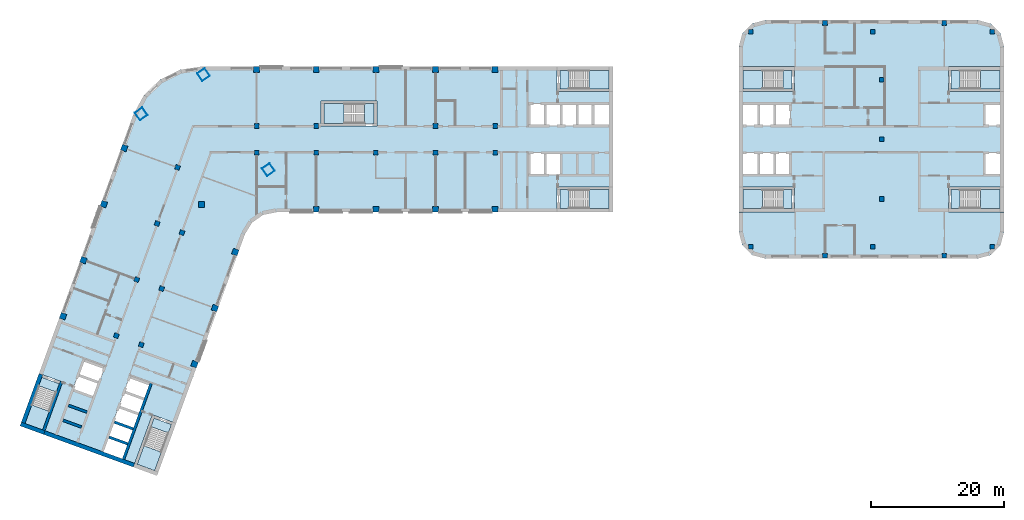
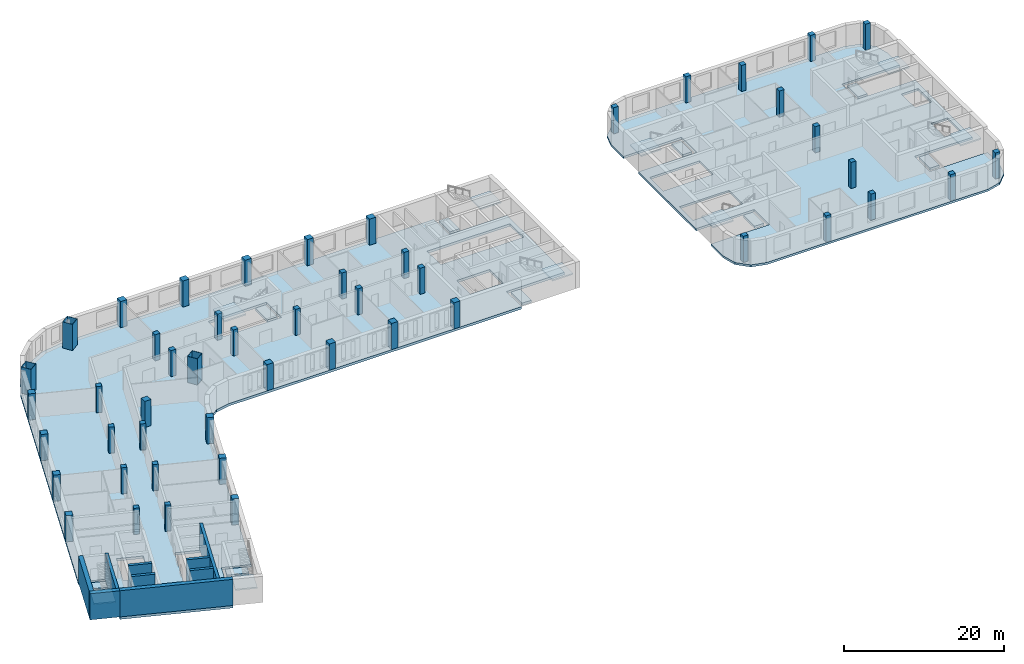
# One storey, part 1 of 12: 49 columns, 20 slabs, 9 walls, 9 elements without a shape of their own.
"""IFC4 building model written with IfcOpenShell, lengths in metres."""

from ifc_helpers import new_model, si_unit, direction, frame, frame_2d, origin, origin_2d, place, context, subcontext, project, spatial, polyline, rectangle, hollow_rectangle, outline, extrude, material, layer, layer_set, material_profile, profile_set, type_object, element, aggregate, save


model = new_model("IFC4")

# Units and contexts
model_context = context("Model", 3, precision=1e-05, world=origin(), true_north=direction((0.0, 1.0)))
body_context = subcontext(model_context, "Body", "Model", "MODEL_VIEW")
ifc_project = project(units=[si_unit("LENGTHUNIT", "METRE"), si_unit("AREAUNIT", "SQUARE_METRE"), si_unit("VOLUMEUNIT", "CUBIC_METRE"), si_unit("PLANEANGLEUNIT", "RADIAN"), si_unit("MASSUNIT", "GRAM", prefix="KILO")], contexts=[model_context])

# Site, building, storey
site_placement = place(None, origin())
site = spatial("IfcSite", under=ifc_project, at=site_placement, CompositionType="ELEMENT")
building_placement = place(site_placement, origin())
building = spatial("IfcBuilding", under=site, at=building_placement, Name="Skarvind Civic Tower", CompositionType="ELEMENT")
storey_placement = place(building_placement, frame((0.0, 0.0, 59.5)))
storey = spatial("IfcBuildingStorey", under=building, at=storey_placement, Name="L13", CompositionType="ELEMENT", Elevation=59.5)

# Columns
ifc_material_1 = material(Name="Concrete C60", Category="concrete")
ifc_material_profile_1 = material_profile(ifc_material_1, rectangle(XDim=0.699951171875, YDim=0.699951171875, at=origin_2d()), Name="RC-700x700")
ifc_profile_set_1 = profile_set([ifc_material_profile_1], Name="Concrete C60")
column_type_1 = type_object("IfcColumnType", Name="Column RC-700x700 C60", PredefinedType="COLUMN", material=ifc_profile_set_1)
for number, where, z_axis, x_axis, name in (
    (1, (54.25, 130.0, 0.0), (0.0, 0.0, 1.0), (1.0, 0.0, 0.0), "Column wing 1 north inner 02 L13"),
    (2, (63.25, 130.0, 0.0), (0.0, 0.0, 1.0), (1.0, 0.0, 0.0), "Column wing 1 north inner 03 L13"),
    (3, (81.25, 130.0, 0.0), (0.0, 0.0, 1.0), (1.0, 0.0, 0.0), "Column wing 1 north inner 05 L13"),
    (4, (90.25, 130.0, 0.0), (0.0, 0.0, 1.0), (1.0, 0.0, 0.0), "Column wing 1 north inner 06 L13"),
    (5, (54.25, 126.0, 0.0), (0.0, 0.0, 1.0), (1.0, 0.0, 0.0), "Column wing 1 south inner 02 L13"),
    (6, (63.25, 126.0, 0.0), (0.0, 0.0, 1.0), (1.0, 0.0, 0.0), "Column wing 1 south inner 03 L13"),
    (7, (72.25, 126.0, 0.0), (0.0, 0.0, 1.0), (1.0, 0.0, 0.0), "Column wing 1 south inner 04 L13"),
    (8, (81.25, 126.0, 0.0), (0.0, 0.0, 1.0), (1.0, 0.0, 0.0), "Column wing 1 south inner 05 L13"),
    (9, (90.25, 126.0, 0.0), (0.0, 0.0, 1.0), (1.0, 0.0, 0.0), "Column wing 1 south inner 06 L13"),
    (10, (43.005615234375, 113.92529296875, 0.0), (0.0, 0.0, 1.0), (-0.342020143326, -0.939692620786, 0.0), "Column wing 2 left inner 02 L13"),
    (11, (39.927490234375, 105.468017578125, 0.0), (0.0, 0.0, 1.0), (-0.342020143326, -0.939692620786, 0.0), "Column wing 2 left inner 03 L13"),
    (12, (36.84912109375, 97.010986328125, 0.0), (0.0, 0.0, 1.0), (-0.342020143326, -0.939692620786, 0.0), "Column wing 2 left inner 04 L13"),
    (13, (42.324951171875, 123.750732421875, 0.0), (0.0, 0.0, 1.0), (-0.342020143326, -0.939692620786, 0.0), "Column wing 2 right inner 01 L13"),
    (14, (39.246826171875, 115.29345703125, 0.0), (0.0, 0.0, 1.0), (-0.342020143326, -0.939692620786, 0.0), "Column wing 2 right inner 02 L13"),
    (15, (36.168701171875, 106.836181640625, 0.0), (0.0, 0.0, 1.0), (-0.342020143326, -0.939692620786, 0.0), "Column wing 2 right inner 03 L13"),
    (16, (33.090576171875, 98.37890625, 0.0), (0.0, 0.0, 1.0), (-0.342020143326, -0.939692620786, 0.0), "Column wing 2 right inner 04 L13"),
    (17, (128.777099609375, 144.222900390625, 0.0), (0.0, 0.0, 1.0), (1.0, 0.0, 0.0), "Column second tower north-west corner L13"),
    (18, (128.777099609375, 111.777099609375, 0.0), (0.0, 0.0, 1.0), (1.0, 0.0, 0.0), "Column second tower south-west corner L13"),
    (19, (148.550048828125, 119.0, 0.0), (0.0, 0.0, 1.0), (1.0, 0.0, 0.0), "Column second tower middle line 01 L13"),
    (20, (148.550048828125, 128.0, 0.0), (0.0, 0.0, 1.0), (1.0, 0.0, 0.0), "Column second tower middle line 02 L13"),
    (21, (148.550048828125, 137.0, 0.0), (0.0, 0.0, 1.0), (1.0, 0.0, 0.0), "Column second tower middle line 03 L13"),
    (22, (140.0, 145.550048828125, 0.0), (0.0, 0.0, 1.0), (1.0, 0.0, 0.0), "Column second tower north perimeter 02 L13"),
    (23, (147.222900390625, 144.222900390625, 0.0), (0.0, 0.0, 1.0), (1.0, 0.0, 0.0), "Column second tower north perimeter 03 L13"),
    (24, (140.0, 110.449951171875, 0.0), (0.0, 0.0, 1.0), (1.0, 0.0, 0.0), "Column second tower south perimeter 02 L13"),
    (25, (147.222900390625, 111.777099609375, 0.0), (0.0, 0.0, 1.0), (1.0, 0.0, 0.0), "Column second tower south perimeter 03 L13"),
    (26, (165.222900390625, 144.222900390625, 0.0), (0.0, 0.0, 1.0), (1.0, 0.0, 0.0), "Column second tower north-east corner L13"),
    (27, (165.222900390625, 111.777099609375, 0.0), (0.0, 0.0, 1.0), (1.0, 0.0, 0.0), "Column second tower south-east corner L13"),
    (28, (158.0, 145.550048828125, 0.0), (0.0, 0.0, 1.0), (1.0, 0.0, 0.0), "Column second tower north perimeter 04 L13"),
    (29, (158.0, 110.449951171875, 0.0), (0.0, 0.0, 1.0), (1.0, 0.0, 0.0), "Column second tower south perimeter 04 L13"),
):
    element("IfcColumn", number, at=place(storey_placement, frame(where, z_axis=z_axis, x_axis=x_axis)), inside=storey, type_object=column_type_1, Name=name, PredefinedType="COLUMN", context=body_context, shape_type="SweptSolid", body=[
        extrude(rectangle(XDim=0.699951171875, YDim=0.699951171875, at=origin_2d()), origin(), (0.0, 0.0, 1.0), 4.0),
    ])
ifc_material_2 = material(Name="Concrete C80", Category="concrete")
ifc_material_profile_2 = material_profile(ifc_material_2, rectangle(XDim=0.89990234375, YDim=0.89990234375, at=origin_2d()), Name="RC-900x900")
ifc_profile_set_2 = profile_set([ifc_material_profile_2], Name="Concrete C80")
column_type_2 = type_object("IfcColumnType", Name="Column RC-900x900 C80", PredefinedType="COLUMN", material=ifc_profile_set_2)
for number, where, z_axis, x_axis, name in (
    (30, (54.25, 138.550048828125, 0.0), (0.0, 0.0, 1.0), (1.0, 0.0, 0.0), "Column wing 1 north perimeter 02 L13"),
    (31, (63.25, 138.550048828125, 0.0), (0.0, 0.0, 1.0), (1.0, 0.0, 0.0), "Column wing 1 north perimeter 03 L13"),
    (32, (72.25, 138.550048828125, 0.0), (0.0, 0.0, 1.0), (1.0, 0.0, 0.0), "Column wing 1 north perimeter 04 L13"),
    (33, (81.25, 138.550048828125, 0.0), (0.0, 0.0, 1.0), (1.0, 0.0, 0.0), "Column wing 1 north perimeter 05 L13"),
    (34, (90.25, 138.550048828125, 0.0), (0.0, 0.0, 1.0), (1.0, 0.0, 0.0), "Column wing 1 north perimeter 06 L13"),
    (35, (45.95166015625, 118.151611328125, 0.0), (0.0, 0.0, 1.0), (1.0, 0.0, 0.0), "Column wing 1 south perimeter 01 L13"),
    (36, (63.25, 117.449951171875, 0.0), (0.0, 0.0, 1.0), (1.0, 0.0, 0.0), "Column wing 1 south perimeter 03 L13"),
    (37, (72.25, 117.449951171875, 0.0), (0.0, 0.0, 1.0), (1.0, 0.0, 0.0), "Column wing 1 south perimeter 04 L13"),
    (38, (81.25, 117.449951171875, 0.0), (0.0, 0.0, 1.0), (1.0, 0.0, 0.0), "Column wing 1 south perimeter 05 L13"),
    (39, (90.25, 117.449951171875, 0.0), (0.0, 0.0, 1.0), (1.0, 0.0, 0.0), "Column wing 1 south perimeter 06 L13"),
    (40, (51.0400390625, 111.0009765625, 0.0), (0.0, 0.0, 1.0), (-0.342020143326, -0.939692620786, 0.0), "Column wing 2 left perimeter 02 L13"),
    (41, (47.961669921875, 102.5439453125, 0.0), (0.0, 0.0, 1.0), (-0.342020143326, -0.939692620786, 0.0), "Column wing 2 left perimeter 03 L13"),
    (42, (44.883544921875, 94.086669921875, 0.0), (0.0, 0.0, 1.0), (-0.342020143326, -0.939692620786, 0.0), "Column wing 2 left perimeter 04 L13"),
    (43, (34.29052734375, 126.6748046875, 0.0), (0.0, 0.0, 1.0), (-0.342020143326, -0.939692620786, 0.0), "Column wing 2 right perimeter 01 L13"),
    (44, (31.21240234375, 118.2177734375, 0.0), (0.0, 0.0, 1.0), (-0.342020143326, -0.939692620786, 0.0), "Column wing 2 right perimeter 02 L13"),
    (45, (28.13427734375, 109.760498046875, 0.0), (0.0, 0.0, 1.0), (-0.342020143326, -0.939692620786, 0.0), "Column wing 2 right perimeter 03 L13"),
    (46, (25.05615234375, 101.30322265625, 0.0), (0.0, 0.0, 1.0), (-0.342020143326, -0.939692620786, 0.0), "Column wing 2 right perimeter 04 L13"),
):
    element("IfcColumn", number, at=place(storey_placement, frame(where, z_axis=z_axis, x_axis=x_axis)), inside=storey, type_object=column_type_2, Name=name, PredefinedType="COLUMN", context=body_context, shape_type="SweptSolid", body=[
        extrude(rectangle(XDim=0.89990234375, YDim=0.89990234375, at=origin_2d()), origin(), (0.0, 0.0, 1.0), 4.0),
    ])
ifc_material_3 = material(Name="Composite concrete-filled steel tube, Steel SM355 with Concrete C80", Category="concrete")
ifc_material_profile_3 = material_profile(ifc_material_3, hollow_rectangle(XDim=1.39990234375, YDim=1.39990234375, WallThickness=0.0400390625, at=origin_2d()), Name="BOX-1400x1400x40")
ifc_profile_set_3 = profile_set([ifc_material_profile_3], Name="Composite concrete-filled steel tube, Steel SM355 with Concrete C80")
column_type_3 = type_object("IfcColumnType", Name="Mega column BOX-1400x1400x40 filled C80", PredefinedType="COLUMN", material=ifc_profile_set_3)
for number, where, z_axis, x_axis, name in (
    (47, (36.845947265625, 131.837646484375, 0.0), (0.0, 0.0, 1.0), (0.573576436351, -0.819152044289, 0.0), "Mega column 1 L13"),
    (48, (46.2470703125, 137.762451171875, 0.0), (0.0, 0.0, 1.0), (0.573576436351, -0.819152044289, 0.0), "Mega column 2 L13"),
    (49, (56.0361328125, 123.43017578125, 0.0), (0.0, 0.0, 1.0), (0.573576436351, -0.819152044289, 0.0), "Mega column 4 L13"),
):
    element("IfcColumn", number, at=place(storey_placement, frame(where, z_axis=z_axis, x_axis=x_axis)), inside=storey, type_object=column_type_3, Name=name, PredefinedType="COLUMN", context=body_context, shape_type="SweptSolid", body=[
        extrude(hollow_rectangle(XDim=1.39990234375, YDim=1.39990234375, WallThickness=0.0400390625, at=origin_2d()), origin(), (0.0, 0.0, 1.0), 4.0),
    ])

# Slabs
ifc_material_4 = material(Name="Concrete C50", Category="concrete")
ifc_layer_1 = layer(ifc_material_4, 0.375)
ifc_layer_set_1 = layer_set([ifc_layer_1], Name="Floor slab 375 C50")
slab_type_1 = type_object("IfcSlabType", Name="Floor slab 375 C50", PredefinedType="FLOOR", material=ifc_layer_set_1)
slab_1_placement = place(storey_placement, frame((0.0, 0.0, -0.375)))
element("IfcSlab", 50, at=slab_1_placement, inside=storey, type_object=slab_type_1, Name="Floor slab L13 1", PredefinedType="FLOOR", context=body_context, shape_type="SweptSolid", body=[
    extrude(outline(polyline([(99.60009765625, 117.0), (99.60009765625, 120.800048828125), (108.0, 120.800048828125), (108.0, 135.199951171875), (99.60009765625, 135.199951171875), (99.60009765625, 139.0), (46.095458984375, 139.0), (42.739501953125, 138.5009765625), (39.6943359375, 137.005615234375), (37.24755859375, 134.6552734375), (35.630615234375, 131.672607421875), (19.41748046875, 87.126708984375), (21.435302734375, 92.6708984375), (25.006103515625, 91.371337890625), (22.13330078125, 83.477783203125), (36.886474609375, 78.108154296875), (35.664794921875, 78.552734375), (38.53759765625, 86.4462890625), (42.108642578125, 85.146484375), (40.0908203125, 79.602294921875), (40.0908203125, 79.602294921875), (52.493896484375, 113.68017578125), (53.560791015625, 115.421630859375), (55.23388671875, 116.593017578125), (57.235107421875, 117.0), (99.60009765625, 117.0)]), holes=[polyline([(32.625244140625, 85.40576171875), (33.446044921875, 87.660888671875), (34.26708984375, 89.916259765625), (35.087890625, 92.17138671875), (38.28271484375, 91.008544921875), (37.4619140625, 88.75341796875), (36.64111328125, 86.498046875), (35.8203125, 84.242919921875), (35.8203125, 84.242919921875), (34.99951171875, 81.987548828125), (34.178466796875, 79.732421875), (30.983642578125, 80.89501953125), (31.804443359375, 83.150390625), (32.625244140625, 85.40576171875), (32.625244140625, 85.40576171875)]), polyline([(31.3291015625, 93.53955078125), (30.50830078125, 91.2841796875), (29.6875, 89.029052734375), (26.492431640625, 90.19189453125), (27.313232421875, 92.447021484375), (28.134033203125, 94.702392578125), (31.3291015625, 93.53955078125)]), polyline([(64.0, 130.0), (64.0, 133.800048828125), (72.39990234375, 133.800048828125), (72.39990234375, 130.0), (64.0, 130.0)]), polyline([(100.199951171875, 126.0), (100.199951171875, 122.60009765625), (97.800048828125, 122.60009765625), (95.39990234375, 122.60009765625), (95.39990234375, 126.0), (97.800048828125, 126.0), (100.199951171875, 126.0)]), polyline([(100.199951171875, 133.39990234375), (102.60009765625, 133.39990234375), (105.0, 133.39990234375), (107.39990234375, 133.39990234375), (107.39990234375, 130.0), (105.0, 130.0), (102.60009765625, 130.0), (100.199951171875, 130.0), (97.800048828125, 130.0), (95.39990234375, 130.0), (95.39990234375, 133.39990234375), (97.800048828125, 133.39990234375), (100.199951171875, 133.39990234375)])]), origin(), (0.0, 0.0, 1.0), 0.375),
])
ifc_layer_2 = layer(ifc_material_4, 0.324951171875)
ifc_layer_set_2 = layer_set([ifc_layer_2], Name="Second tower floor slab 325 C50")
slab_type_2 = type_object("IfcSlabType", Name="Second tower floor slab 325 C50", PredefinedType="FLOOR", material=ifc_layer_set_2)
slab_2_placement = place(storey_placement, frame((0.0, 0.0, -0.324951171875)))
element("IfcSlab", 51, at=slab_2_placement, inside=storey, type_object=slab_type_2, Name="Floor slab L13 1", PredefinedType="FLOOR", context=body_context, shape_type="SweptSolid", body=[
    extrude(outline(polyline([(127.0, 139.0), (135.39990234375, 139.0), (135.39990234375, 135.199951171875), (127.0, 135.199951171875), (127.0, 120.800048828125), (135.39990234375, 120.800048828125), (135.39990234375, 117.0), (127.0, 117.0), (127.0, 114.0), (127.535888671875, 112.0), (129.0, 110.535888671875), (131.0, 110.0), (163.0, 110.0), (165.0, 110.535888671875), (166.464111328125, 112.0), (167.0, 114.0), (167.0, 117.0), (158.60009765625, 117.0), (158.60009765625, 120.800048828125), (167.0, 120.800048828125), (167.0, 135.199951171875), (158.60009765625, 135.199951171875), (158.60009765625, 139.0), (167.0, 139.0), (167.0, 142.0), (166.464111328125, 144.0), (165.0, 145.464111328125), (163.0, 146.0), (131.0, 146.0), (129.0, 145.464111328125), (127.535888671875, 144.0), (127.0, 142.0), (127.0, 139.0)]), holes=[polyline([(132.39990234375, 126.0), (134.800048828125, 126.0), (134.800048828125, 122.60009765625), (132.39990234375, 122.60009765625), (130.0, 122.60009765625), (127.60009765625, 122.60009765625), (127.60009765625, 126.0), (130.0, 126.0), (132.39990234375, 126.0)]), polyline([(130.0, 133.39990234375), (132.39990234375, 133.39990234375), (134.800048828125, 133.39990234375), (134.800048828125, 130.0), (132.39990234375, 130.0), (130.0, 130.0), (127.60009765625, 130.0), (127.60009765625, 133.39990234375), (130.0, 133.39990234375)]), polyline([(166.39990234375, 126.0), (166.39990234375, 122.60009765625), (164.0, 122.60009765625), (164.0, 126.0), (166.39990234375, 126.0)]), polyline([(166.39990234375, 133.39990234375), (166.39990234375, 130.0), (164.0, 130.0), (164.0, 133.39990234375), (166.39990234375, 133.39990234375)])]), origin(), (0.0, 0.0, 1.0), 0.324951171875),
])
ifc_material_5 = material(Name="Concrete C40/50", Category="concrete")
ifc_layer_3 = layer(ifc_material_5, 0.375)
ifc_layer_set_3 = layer_set([ifc_layer_3], Name="Stair floor landing slab 375")
slab_type_3 = type_object("IfcSlabType", Name="Stair floor landing slab 375", PredefinedType="LANDING", material=ifc_layer_set_3)
slab_3_placement = place(storey_placement, frame((0.0, 0.0, -0.375)))
element("IfcSlab", 52, at=slab_3_placement, inside=storey, type_object=slab_type_3, Name="Stair floor landing", PredefinedType="LANDING", context=body_context, shape_type="SweptSolid", body=[
    extrude(outline(polyline([(101.3505859375, 138.400634765625), (101.3505859375, 135.599365234375), (99.99951171875, 135.599365234375), (99.99951171875, 138.400634765625), (101.3505859375, 138.400634765625)])), origin(), (0.0, 0.0, 1.0), 0.375),
])
slab_4_placement = place(storey_placement, frame((0.0, 0.0, -0.375)))
element("IfcSlab", 53, at=slab_4_placement, inside=storey, type_object=slab_type_3, Name="Stair floor landing", PredefinedType="LANDING", context=body_context, shape_type="SweptSolid", body=[
    extrude(outline(polyline([(101.3505859375, 120.400634765625), (101.3505859375, 117.599365234375), (99.99951171875, 117.599365234375), (99.99951171875, 120.400634765625), (101.3505859375, 120.400634765625)])), origin(), (0.0, 0.0, 1.0), 0.375),
])
slab_5_placement = place(storey_placement, frame((0.0, 0.0, -0.375)))
element("IfcSlab", 54, at=slab_5_placement, inside=storey, type_object=slab_type_3, Name="Stair floor landing", PredefinedType="LANDING", context=body_context, shape_type="SweptSolid", body=[
    extrude(outline(polyline([(40.946533203125, 83.70654296875), (38.314208984375, 84.66455078125), (38.7763671875, 85.934326171875), (41.40869140625, 84.976318359375), (40.946533203125, 83.70654296875)])), origin(), (0.0, 0.0, 1.0), 0.375),
])
slab_6_placement = place(storey_placement, frame((0.0, 0.0, -0.375)))
element("IfcSlab", 55, at=slab_6_placement, inside=storey, type_object=slab_type_3, Name="Stair floor landing", PredefinedType="LANDING", context=body_context, shape_type="SweptSolid", body=[
    extrude(outline(polyline([(24.0322265625, 89.863037109375), (21.39990234375, 90.821044921875), (21.862060546875, 92.090576171875), (24.494384765625, 91.132568359375), (24.0322265625, 89.863037109375)])), origin(), (0.0, 0.0, 1.0), 0.375),
])
slab_7_placement = place(storey_placement, frame((0.0, 0.0, -0.375)))
element("IfcSlab", 56, at=slab_7_placement, inside=storey, type_object=slab_type_3, Name="Stair floor landing", PredefinedType="LANDING", context=body_context, shape_type="SweptSolid", body=[
    extrude(outline(polyline([(133.6494140625, 117.599365234375), (133.6494140625, 120.400634765625), (135.00048828125, 120.400634765625), (135.00048828125, 117.599365234375), (133.6494140625, 117.599365234375)])), origin(), (0.0, 0.0, 1.0), 0.375),
])
slab_8_placement = place(storey_placement, frame((0.0, 0.0, -0.375)))
element("IfcSlab", 57, at=slab_8_placement, inside=storey, type_object=slab_type_3, Name="Stair floor landing", PredefinedType="LANDING", context=body_context, shape_type="SweptSolid", body=[
    extrude(outline(polyline([(133.6494140625, 135.599365234375), (133.6494140625, 138.400634765625), (135.00048828125, 138.400634765625), (135.00048828125, 135.599365234375), (133.6494140625, 135.599365234375)])), origin(), (0.0, 0.0, 1.0), 0.375),
])
slab_9_placement = place(storey_placement, frame((0.0, 0.0, -0.375)))
element("IfcSlab", 58, at=slab_9_placement, inside=storey, type_object=slab_type_3, Name="Stair floor landing", PredefinedType="LANDING", context=body_context, shape_type="SweptSolid", body=[
    extrude(outline(polyline([(160.3505859375, 138.400634765625), (160.3505859375, 135.599365234375), (158.99951171875, 135.599365234375), (158.99951171875, 138.400634765625), (160.3505859375, 138.400634765625)])), origin(), (0.0, 0.0, 1.0), 0.375),
])
slab_10_placement = place(storey_placement, frame((0.0, 0.0, -0.375)))
element("IfcSlab", 59, at=slab_10_placement, inside=storey, type_object=slab_type_3, Name="Stair floor landing", PredefinedType="LANDING", context=body_context, shape_type="SweptSolid", body=[
    extrude(outline(polyline([(160.3505859375, 120.400634765625), (160.3505859375, 117.599365234375), (158.99951171875, 117.599365234375), (158.99951171875, 120.400634765625), (160.3505859375, 120.400634765625)])), origin(), (0.0, 0.0, 1.0), 0.375),
])
slab_11_placement = place(storey_placement, frame((0.0, 0.0, -0.375)))
element("IfcSlab", 60, at=slab_11_placement, inside=storey, type_object=slab_type_3, Name="Stair floor landing", PredefinedType="LANDING", context=body_context, shape_type="SweptSolid", body=[
    extrude(outline(polyline([(70.54931640625, 130.3994140625), (70.54931640625, 133.400634765625), (72.00048828125, 133.400634765625), (72.00048828125, 130.3994140625), (70.54931640625, 130.3994140625)])), origin(), (0.0, 0.0, 1.0), 0.375),
])

# Stair, slab
stair_type_1 = type_object("IfcStairType", Name="Exit stair, half-turn, concrete", PredefinedType="HALF_TURN_STAIR", material=ifc_material_5)
stair_1_placement = place(storey_placement, origin())
stair_1 = element("IfcStair", 61, at=stair_1_placement, inside=storey, type_object=stair_type_1, Name="Exit stair C1S", PredefinedType="HALF_TURN_STAIR")
ifc_layer_4 = layer(ifc_material_5, 0.199951171875)
ifc_layer_set_4 = layer_set([ifc_layer_4], Name="Stair half landing slab")
slab_type_4 = type_object("IfcSlabType", Name="Stair half landing slab", PredefinedType="LANDING", material=ifc_layer_set_4)
slab_12_placement = place(storey_placement, frame((0.0, 0.0, 1.800048828125)))
slab_12 = element("IfcSlab", 62, at=slab_12_placement, type_object=slab_type_4, Name="ST-C1S landing 1", PredefinedType="LANDING", context=body_context, shape_type="SweptSolid", body=[
    extrude(outline(polyline([(104.429443359375, 135.599365234375), (104.429443359375, 138.400634765625), (107.400634765625, 138.400634765625), (107.400634765625, 135.599365234375), (104.429443359375, 135.599365234375)])), origin(), (0.0, 0.0, 1.0), 0.199951171875),
])
aggregate(stair_1, [slab_12])

stair_2_placement = place(storey_placement, origin())
stair_2 = element("IfcStair", 63, at=stair_2_placement, inside=storey, type_object=stair_type_1, Name="Exit stair C1N", PredefinedType="HALF_TURN_STAIR")
slab_13_placement = place(storey_placement, frame((0.0, 0.0, 1.800048828125)))
slab_13 = element("IfcSlab", 64, at=slab_13_placement, type_object=slab_type_4, Name="ST-C1N landing 1", PredefinedType="LANDING", context=body_context, shape_type="SweptSolid", body=[
    extrude(outline(polyline([(104.429443359375, 117.599365234375), (104.429443359375, 120.400634765625), (107.400634765625, 120.400634765625), (107.400634765625, 117.599365234375), (104.429443359375, 117.599365234375)])), origin(), (0.0, 0.0, 1.0), 0.199951171875),
])
aggregate(stair_2, [slab_13])

stair_3_placement = place(storey_placement, origin())
stair_3 = element("IfcStair", 65, at=stair_3_placement, inside=storey, type_object=stair_type_1, Name="Exit stair C2S", PredefinedType="HALF_TURN_STAIR")
slab_14_placement = place(storey_placement, frame((0.0, 0.0, 1.800048828125)))
slab_14 = element("IfcSlab", 66, at=slab_14_placement, type_object=slab_type_4, Name="ST-C2S landing 1", PredefinedType="LANDING", context=body_context, shape_type="SweptSolid", body=[
    extrude(outline(polyline([(37.26123046875, 81.771484375), (39.8935546875, 80.8134765625), (38.87744140625, 78.021484375), (36.2451171875, 78.9794921875), (37.26123046875, 81.771484375)])), origin(), (0.0, 0.0, 1.0), 0.199951171875),
])
aggregate(stair_3, [slab_14])

stair_4_placement = place(storey_placement, origin())
stair_4 = element("IfcStair", 67, at=stair_4_placement, inside=storey, type_object=stair_type_1, Name="Exit stair C2N", PredefinedType="HALF_TURN_STAIR")
slab_15_placement = place(storey_placement, frame((0.0, 0.0, 1.800048828125)))
slab_15 = element("IfcSlab", 68, at=slab_15_placement, type_object=slab_type_4, Name="ST-C2N landing 1", PredefinedType="LANDING", context=body_context, shape_type="SweptSolid", body=[
    extrude(outline(polyline([(20.346923828125, 87.927734375), (22.97900390625, 86.9697265625), (21.962890625, 84.177734375), (19.33056640625, 85.1357421875), (20.346923828125, 87.927734375)])), origin(), (0.0, 0.0, 1.0), 0.199951171875),
])
aggregate(stair_4, [slab_15])

stair_5_placement = place(storey_placement, origin())
stair_5 = element("IfcStair", 69, at=stair_5_placement, inside=storey, type_object=stair_type_1, Name="Exit stair CAS", PredefinedType="HALF_TURN_STAIR")
slab_16_placement = place(storey_placement, frame((0.0, 0.0, 1.800048828125)))
slab_16 = element("IfcSlab", 70, at=slab_16_placement, type_object=slab_type_4, Name="ST-CAS landing 1", PredefinedType="LANDING", context=body_context, shape_type="SweptSolid", body=[
    extrude(outline(polyline([(130.570556640625, 120.400634765625), (130.570556640625, 117.599365234375), (127.599365234375, 117.599365234375), (127.599365234375, 120.400634765625), (130.570556640625, 120.400634765625)])), origin(), (0.0, 0.0, 1.0), 0.199951171875),
])
aggregate(stair_5, [slab_16])

stair_6_placement = place(storey_placement, origin())
stair_6 = element("IfcStair", 71, at=stair_6_placement, inside=storey, type_object=stair_type_1, Name="Exit stair CAN", PredefinedType="HALF_TURN_STAIR")
slab_17_placement = place(storey_placement, frame((0.0, 0.0, 1.800048828125)))
slab_17 = element("IfcSlab", 72, at=slab_17_placement, type_object=slab_type_4, Name="ST-CAN landing 1", PredefinedType="LANDING", context=body_context, shape_type="SweptSolid", body=[
    extrude(outline(polyline([(130.570556640625, 138.400634765625), (130.570556640625, 135.599365234375), (127.599365234375, 135.599365234375), (127.599365234375, 138.400634765625), (130.570556640625, 138.400634765625)])), origin(), (0.0, 0.0, 1.0), 0.199951171875),
])
aggregate(stair_6, [slab_17])

stair_7_placement = place(storey_placement, origin())
stair_7 = element("IfcStair", 73, at=stair_7_placement, inside=storey, type_object=stair_type_1, Name="Exit stair CBS", PredefinedType="HALF_TURN_STAIR")
slab_18_placement = place(storey_placement, frame((0.0, 0.0, 1.800048828125)))
slab_18 = element("IfcSlab", 74, at=slab_18_placement, type_object=slab_type_4, Name="ST-CBS landing 1", PredefinedType="LANDING", context=body_context, shape_type="SweptSolid", body=[
    extrude(outline(polyline([(163.429443359375, 135.599365234375), (163.429443359375, 138.400634765625), (166.400634765625, 138.400634765625), (166.400634765625, 135.599365234375), (163.429443359375, 135.599365234375)])), origin(), (0.0, 0.0, 1.0), 0.199951171875),
])
aggregate(stair_7, [slab_18])

stair_8_placement = place(storey_placement, origin())
stair_8 = element("IfcStair", 75, at=stair_8_placement, inside=storey, type_object=stair_type_1, Name="Exit stair CBN", PredefinedType="HALF_TURN_STAIR")
slab_19_placement = place(storey_placement, frame((0.0, 0.0, 1.800048828125)))
slab_19 = element("IfcSlab", 76, at=slab_19_placement, type_object=slab_type_4, Name="ST-CBN landing 1", PredefinedType="LANDING", context=body_context, shape_type="SweptSolid", body=[
    extrude(outline(polyline([(163.429443359375, 117.599365234375), (163.429443359375, 120.400634765625), (166.400634765625, 120.400634765625), (166.400634765625, 117.599365234375), (163.429443359375, 117.599365234375)])), origin(), (0.0, 0.0, 1.0), 0.199951171875),
])
aggregate(stair_8, [slab_19])

stair_type_2 = type_object("IfcStairType", Name="Exit stair 1450, half-turn, concrete", PredefinedType="HALF_TURN_STAIR", material=ifc_material_5)
stair_9_placement = place(storey_placement, origin())
stair_9 = element("IfcStair", 77, at=stair_9_placement, inside=storey, type_object=stair_type_2, Name="Exit stair CM", PredefinedType="HALF_TURN_STAIR")
slab_20_placement = place(storey_placement, frame((0.0, 0.0, 1.800048828125)))
slab_20 = element("IfcSlab", 78, at=slab_20_placement, type_object=slab_type_4, Name="ST-CM landing 1", PredefinedType="LANDING", context=body_context, shape_type="SweptSolid", body=[
    extrude(outline(polyline([(67.470703125, 133.400634765625), (67.470703125, 130.3994140625), (64.3994140625, 130.3994140625), (64.3994140625, 133.400634765625), (67.470703125, 133.400634765625)])), origin(), (0.0, 0.0, 1.0), 0.199951171875),
])
aggregate(stair_9, [slab_20])

# Walls
ifc_layer_5 = layer(ifc_material_2, 0.39990234375)
ifc_layer_set_5 = layer_set([ifc_layer_5], Name="Core wall 400 C80")
wall_type_1 = type_object("IfcWallType", Name="Core wall 400 C80", PredefinedType="SHEAR", material=ifc_layer_set_5)
wall_1_placement = place(storey_placement, frame((22.150390625, 84.110107421875, 0.0), z_axis=(0.0, 0.0, 1.0), x_axis=(0.342016982193, 0.939693771338, 0.0)))
element("IfcWall", 79, at=wall_1_placement, inside=storey, type_object=wall_type_1, Name="Core wall C2 north stair inner L13", PredefinedType="SHEAR", context=body_context, shape_type="SweptSolid", body=[
    extrude(rectangle(XDim=7.800048828125, YDim=0.39990234375, at=frame_2d((3.89990234375, 0.0))), origin(), (0.0, 0.0, 1.0), 4.0),
])
wall_2_placement = place(storey_placement, frame((34.178466796875, 79.732177734375, 0.0), z_axis=(0.0, 0.0, 1.0), x_axis=(0.342014590177, 0.939694641948, 0.0)))
element("IfcWall", 80, at=wall_2_placement, inside=storey, type_object=wall_type_1, Name="Core wall C2 south lift row back L13", PredefinedType="SHEAR", context=body_context, shape_type="SweptSolid", body=[
    extrude(rectangle(XDim=12.2001953125, YDim=0.39990234375, at=frame_2d((6.10009765625, 0.0))), origin(), (0.0, 0.0, 1.0), 4.0),
])
for number, where, z_axis, x_axis, name in (
    (81, (34.8115234375, 82.055908203125, 0.0), (0.0, 0.0, 1.0), (-0.939686455819, 0.342037080957, 0.0), "Core wall C2 south lift row division 1 L13"),
    (82, (35.63232421875, 84.311279296875, 0.0), (0.0, 0.0, 1.0), (-0.939712609717, 0.341965219194, 0.0), "Core wall C2 south lift row division 2 L13"),
    (83, (27.857666015625, 84.5869140625, 0.0), (0.0, 0.0, 1.0), (-0.939686455819, 0.342037080957, 0.0), "Core wall C2 north lift row division 1 L13"),
):
    element("IfcWall", number, at=place(storey_placement, frame(where, z_axis=z_axis, x_axis=x_axis)), inside=storey, type_object=wall_type_1, Name=name, PredefinedType="SHEAR", context=body_context, shape_type="SweptSolid", body=[
        extrude(rectangle(XDim=3.0, YDim=0.39990234375, at=frame_2d((1.5, 0.0))), origin(), (0.0, 0.0, 1.0), 4.0),
    ])
wall_3_placement = place(storey_placement, frame((28.678466796875, 86.842041015625, 0.0), z_axis=(0.0, 0.0, 1.0), x_axis=(-0.939676934218, 0.342063238742, 0.0)))
element("IfcWall", 84, at=wall_3_placement, inside=storey, type_object=wall_type_1, Name="Core wall C2 north lift row division 2 L13", PredefinedType="SHEAR", context=body_context, shape_type="SweptSolid", body=[
    extrude(rectangle(XDim=2.999755859375, YDim=0.39990234375, at=frame_2d((1.5, 0.0))), origin(), (0.0, 0.0, 1.0), 4.0),
])
ifc_layer_6 = layer(ifc_material_2, 0.60009765625)
ifc_layer_set_6 = layer_set([ifc_layer_6], Name="Core wall 600 C80")
wall_type_2 = type_object("IfcWallType", Name="Core wall 600 C80", PredefinedType="SHEAR", material=ifc_layer_set_6)
wall_4_placement = place(storey_placement, frame((35.767333984375, 78.834716796875, 0.0), z_axis=(0.0, 0.0, 1.0), x_axis=(-0.939692894512, 0.342019391267, 0.0)))
element("IfcWall", 85, at=wall_4_placement, inside=storey, type_object=wall_type_2, Name="Core wall C2 tip between the stairs L13", PredefinedType="SHEAR", context=body_context, shape_type="SweptSolid", body=[
    extrude(rectangle(XDim=14.39990234375, YDim=0.60009765625, at=frame_2d((7.199951171875, 0.0))), origin(), (0.0, 0.0, 1.0), 4.0),
])
wall_5_placement = place(storey_placement, frame((22.23583984375, 83.759765625, 0.0), z_axis=(0.0, 0.0, 1.0), x_axis=(-0.939680822529, 0.342052557032, 0.0)))
element("IfcWall", 86, at=wall_5_placement, inside=storey, type_object=wall_type_2, Name="Core wall C2 tip at the north stair L13", PredefinedType="SHEAR", context=body_context, shape_type="SweptSolid", body=[
    extrude(rectangle(XDim=3.800048828125, YDim=0.60009765625, at=frame_2d((1.89990234375, 0.0))), origin(), (0.0, 0.0, 1.0), 4.0),
])
wall_6_placement = place(storey_placement, frame((19.049560546875, 85.23876953125, 0.0), z_axis=(0.0, 0.0, 1.0), x_axis=(0.342016982193, 0.939693771338, 0.0)))
element("IfcWall", 87, at=wall_6_placement, inside=storey, type_object=wall_type_2, Name="Core wall C2 north side at the stair L13", PredefinedType="SHEAR", context=body_context, shape_type="SweptSolid", body=[
    extrude(rectangle(XDim=7.800048828125, YDim=0.60009765625, at=frame_2d((3.89990234375, 0.0))), origin(), (0.0, 0.0, 1.0), 4.0),
])

save(model, "model.ifc")
